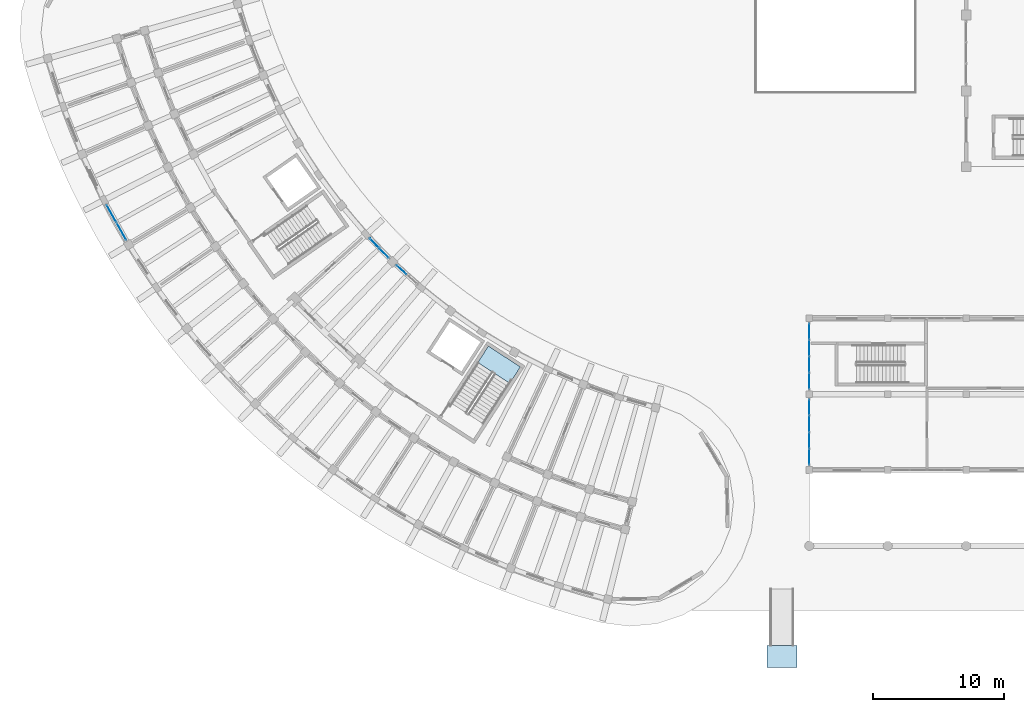
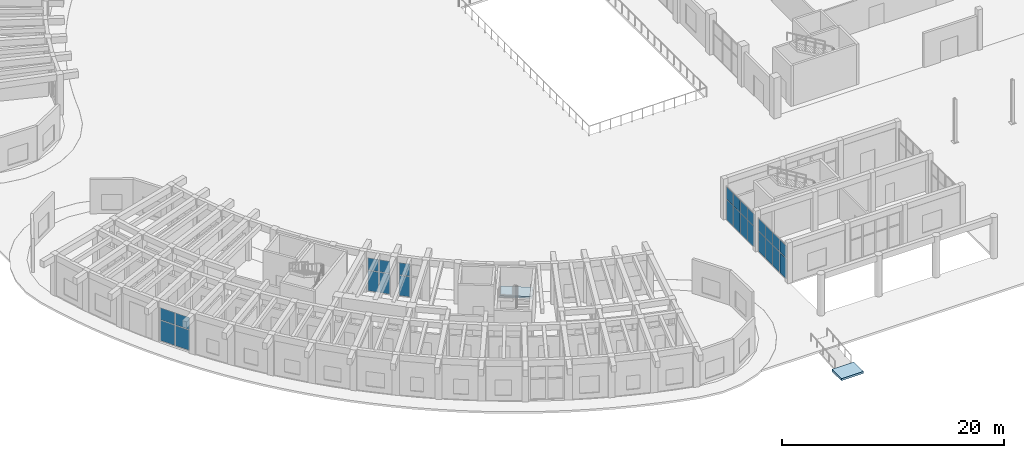
# One storey, part 71 of 132: 26 plates, 2 slabs, 6 elements without a shape of their own.
"""IFC4 building model written with IfcOpenShell, lengths in metres."""

from ifc_helpers import new_model, si_unit, direction, frame, origin, origin_2d, place, context, subcontext, project, spatial, polyline, rectangle, outline, extrude, material, layer, layer_set, type_object, element, aggregate, save


model = new_model("IFC4")

# Units and contexts
model_context = context("Model", 3, precision=1e-05, world=origin(), true_north=direction((0.0, 1.0)))
body_context = subcontext(model_context, "Body", "Model", "MODEL_VIEW")
ifc_project = project(units=[si_unit("LENGTHUNIT", "METRE"), si_unit("AREAUNIT", "SQUARE_METRE"), si_unit("VOLUMEUNIT", "CUBIC_METRE"), si_unit("PLANEANGLEUNIT", "RADIAN"), si_unit("MASSUNIT", "GRAM", prefix="KILO")], contexts=[model_context])

# Site, building, storey
site_placement = place(None, origin())
site = spatial("IfcSite", under=ifc_project, at=site_placement, CompositionType="ELEMENT")
building_placement = place(site_placement, origin())
building = spatial("IfcBuilding", under=site, at=building_placement, Name="Tanwirah Colonnade Gardens", CompositionType="ELEMENT")
storey_placement = place(building_placement, origin())
storey = spatial("IfcBuildingStorey", under=building, at=storey_placement, Name="L00", CompositionType="ELEMENT", Elevation=0.0)

# Curtain wall, plates
ifc_material_1 = material(Name="Bronze-anodised aluminium and solar-control low-E glass", Category="aluminium")
curtain_wall_type_1 = type_object("IfcCurtainWallType", Name="CW-SHP", PredefinedType="NOTDEFINED", material=ifc_material_1)
curtain_wall_1_placement = place(storey_placement, origin())
curtain_wall_1 = element("IfcCurtainWall", 1, at=curtain_wall_1_placement, inside=storey, type_object=curtain_wall_type_1, Name="Curtain Wall CW-SHP-W-L00-W-1", PredefinedType="NOTDEFINED")
ifc_material_2 = material(Name="Solar-control low-E double glazing", Category="glass")
ifc_layer_1 = layer(ifc_material_2, 0.028076171875)
ifc_layer_set_1 = layer_set([ifc_layer_1], Name="Solar-control low-E double glazing")
plate_type_1 = type_object("IfcPlateType", Name="CWP-GLZ28", PredefinedType="CURTAIN_PANEL", material=ifc_layer_set_1)
plate_1_placement = place(storey_placement, frame((66.0, 17.6025390625, 0.06005859375), z_axis=(0.0, 0.0, 1.0), x_axis=(0.0, 1.0, 0.0)))
plate_1 = element("IfcPlate", 2, at=plate_1_placement, type_object=plate_type_1, Name="CW-SHP panel 1.1", PredefinedType="CURTAIN_PANEL", context=body_context, shape_type="SweptSolid", body=[
    extrude(rectangle(XDim=1.18505859375, YDim=0.028076171875, at=origin_2d()), origin(), (0.0, 0.0, 1.0), 2.235107421875),
])
plate_2_placement = place(storey_placement, frame((66.0, 17.6025390625, 2.35498046875), z_axis=(0.0, 0.0, 1.0), x_axis=(0.0, 1.0, 0.0)))
plate_2 = element("IfcPlate", 3, at=plate_2_placement, type_object=plate_type_1, Name="CW-SHP panel 1.2", PredefinedType="CURTAIN_PANEL", context=body_context, shape_type="SweptSolid", body=[
    extrude(rectangle(XDim=1.18505859375, YDim=0.028076171875, at=origin_2d()), origin(), (0.0, 0.0, 1.0), 1.3349609375),
])
plate_3_placement = place(storey_placement, frame((66.0, 18.862548828125, 0.06005859375), z_axis=(0.0, 0.0, 1.0), x_axis=(0.0, 1.0, 0.0)))
plate_3 = element("IfcPlate", 4, at=plate_3_placement, type_object=plate_type_1, Name="CW-SHP panel 2.1", PredefinedType="CURTAIN_PANEL", context=body_context, shape_type="SweptSolid", body=[
    extrude(rectangle(XDim=1.215087890625, YDim=0.028076171875, at=origin_2d()), origin(), (0.0, 0.0, 1.0), 2.235107421875),
])
plate_4_placement = place(storey_placement, frame((66.0, 18.862548828125, 2.35498046875), z_axis=(0.0, 0.0, 1.0), x_axis=(0.0, 1.0, 0.0)))
plate_4 = element("IfcPlate", 5, at=plate_4_placement, type_object=plate_type_1, Name="CW-SHP panel 2.2", PredefinedType="CURTAIN_PANEL", context=body_context, shape_type="SweptSolid", body=[
    extrude(rectangle(XDim=1.215087890625, YDim=0.028076171875, at=origin_2d()), origin(), (0.0, 0.0, 1.0), 1.3349609375),
])
plate_5_placement = place(storey_placement, frame((66.0, 20.137451171875, 0.06005859375), z_axis=(0.0, 0.0, 1.0), x_axis=(0.0, 1.0, 0.0)))
plate_5 = element("IfcPlate", 6, at=plate_5_placement, type_object=plate_type_1, Name="CW-SHP panel 3.1", PredefinedType="CURTAIN_PANEL", context=body_context, shape_type="SweptSolid", body=[
    extrude(rectangle(XDim=1.215087890625, YDim=0.028076171875, at=origin_2d()), origin(), (0.0, 0.0, 1.0), 2.235107421875),
])
plate_6_placement = place(storey_placement, frame((66.0, 20.137451171875, 2.35498046875), z_axis=(0.0, 0.0, 1.0), x_axis=(0.0, 1.0, 0.0)))
plate_6 = element("IfcPlate", 7, at=plate_6_placement, type_object=plate_type_1, Name="CW-SHP panel 3.2", PredefinedType="CURTAIN_PANEL", context=body_context, shape_type="SweptSolid", body=[
    extrude(rectangle(XDim=1.215087890625, YDim=0.028076171875, at=origin_2d()), origin(), (0.0, 0.0, 1.0), 1.3349609375),
])
plate_7_placement = place(storey_placement, frame((66.0, 21.3974609375, 0.06005859375), z_axis=(0.0, 0.0, 1.0), x_axis=(0.0, 1.0, 0.0)))
plate_7 = element("IfcPlate", 8, at=plate_7_placement, type_object=plate_type_1, Name="CW-SHP panel 4.1", PredefinedType="CURTAIN_PANEL", context=body_context, shape_type="SweptSolid", body=[
    extrude(rectangle(XDim=1.18505859375, YDim=0.028076171875, at=origin_2d()), origin(), (0.0, 0.0, 1.0), 2.235107421875),
])
plate_8_placement = place(storey_placement, frame((66.0, 21.3974609375, 2.35498046875), z_axis=(0.0, 0.0, 1.0), x_axis=(0.0, 1.0, 0.0)))
plate_8 = element("IfcPlate", 9, at=plate_8_placement, type_object=plate_type_1, Name="CW-SHP panel 4.2", PredefinedType="CURTAIN_PANEL", context=body_context, shape_type="SweptSolid", body=[
    extrude(rectangle(XDim=1.18505859375, YDim=0.028076171875, at=origin_2d()), origin(), (0.0, 0.0, 1.0), 1.3349609375),
])
aggregate(curtain_wall_1, [plate_1, plate_2, plate_3, plate_4, plate_5, plate_6, plate_7, plate_8])

curtain_wall_2_placement = place(storey_placement, origin())
curtain_wall_2 = element("IfcCurtainWall", 10, at=curtain_wall_2_placement, inside=storey, type_object=curtain_wall_type_1, Name="Curtain Wall CW-SHP-W-L00-W-2", PredefinedType="NOTDEFINED")
plate_9_placement = place(storey_placement, frame((66.0, 23.402587890625, 0.06005859375), z_axis=(0.0, 0.0, 1.0), x_axis=(0.0, 1.0, 0.0)))
plate_9 = element("IfcPlate", 11, at=plate_9_placement, type_object=plate_type_1, Name="CW-SHP panel 1.1", PredefinedType="CURTAIN_PANEL", context=body_context, shape_type="SweptSolid", body=[
    extrude(rectangle(XDim=1.18505859375, YDim=0.028076171875, at=origin_2d()), origin(), (0.0, 0.0, 1.0), 2.235107421875),
])
plate_10_placement = place(storey_placement, frame((66.0, 23.402587890625, 2.35498046875), z_axis=(0.0, 0.0, 1.0), x_axis=(0.0, 1.0, 0.0)))
plate_10 = element("IfcPlate", 12, at=plate_10_placement, type_object=plate_type_1, Name="CW-SHP panel 1.2", PredefinedType="CURTAIN_PANEL", context=body_context, shape_type="SweptSolid", body=[
    extrude(rectangle(XDim=1.18505859375, YDim=0.028076171875, at=origin_2d()), origin(), (0.0, 0.0, 1.0), 1.3349609375),
])
plate_11_placement = place(storey_placement, frame((66.0, 24.66259765625, 0.06005859375), z_axis=(0.0, 0.0, 1.0), x_axis=(0.0, 1.0, 0.0)))
plate_11 = element("IfcPlate", 13, at=plate_11_placement, type_object=plate_type_1, Name="CW-SHP panel 2.1", PredefinedType="CURTAIN_PANEL", context=body_context, shape_type="SweptSolid", body=[
    extrude(rectangle(XDim=1.215087890625, YDim=0.028076171875, at=origin_2d()), origin(), (0.0, 0.0, 1.0), 2.235107421875),
])
plate_12_placement = place(storey_placement, frame((66.0, 24.66259765625, 2.35498046875), z_axis=(0.0, 0.0, 1.0), x_axis=(0.0, 1.0, 0.0)))
plate_12 = element("IfcPlate", 14, at=plate_12_placement, type_object=plate_type_1, Name="CW-SHP panel 2.2", PredefinedType="CURTAIN_PANEL", context=body_context, shape_type="SweptSolid", body=[
    extrude(rectangle(XDim=1.215087890625, YDim=0.028076171875, at=origin_2d()), origin(), (0.0, 0.0, 1.0), 1.3349609375),
])
plate_13_placement = place(storey_placement, frame((66.0, 25.9375, 0.06005859375), z_axis=(0.0, 0.0, 1.0), x_axis=(0.0, 1.0, 0.0)))
plate_13 = element("IfcPlate", 15, at=plate_13_placement, type_object=plate_type_1, Name="CW-SHP panel 3.1", PredefinedType="CURTAIN_PANEL", context=body_context, shape_type="SweptSolid", body=[
    extrude(rectangle(XDim=1.215087890625, YDim=0.028076171875, at=origin_2d()), origin(), (0.0, 0.0, 1.0), 2.235107421875),
])
plate_14_placement = place(storey_placement, frame((66.0, 25.9375, 2.35498046875), z_axis=(0.0, 0.0, 1.0), x_axis=(0.0, 1.0, 0.0)))
plate_14 = element("IfcPlate", 16, at=plate_14_placement, type_object=plate_type_1, Name="CW-SHP panel 3.2", PredefinedType="CURTAIN_PANEL", context=body_context, shape_type="SweptSolid", body=[
    extrude(rectangle(XDim=1.215087890625, YDim=0.028076171875, at=origin_2d()), origin(), (0.0, 0.0, 1.0), 1.3349609375),
])
plate_15_placement = place(storey_placement, frame((66.0, 27.197509765625, 0.06005859375), z_axis=(0.0, 0.0, 1.0), x_axis=(0.0, 1.0, 0.0)))
plate_15 = element("IfcPlate", 17, at=plate_15_placement, type_object=plate_type_1, Name="CW-SHP panel 4.1", PredefinedType="CURTAIN_PANEL", context=body_context, shape_type="SweptSolid", body=[
    extrude(rectangle(XDim=1.18505859375, YDim=0.028076171875, at=origin_2d()), origin(), (0.0, 0.0, 1.0), 2.235107421875),
])
plate_16_placement = place(storey_placement, frame((66.0, 27.197509765625, 2.35498046875), z_axis=(0.0, 0.0, 1.0), x_axis=(0.0, 1.0, 0.0)))
plate_16 = element("IfcPlate", 18, at=plate_16_placement, type_object=plate_type_1, Name="CW-SHP panel 4.2", PredefinedType="CURTAIN_PANEL", context=body_context, shape_type="SweptSolid", body=[
    extrude(rectangle(XDim=1.18505859375, YDim=0.028076171875, at=origin_2d()), origin(), (0.0, 0.0, 1.0), 1.3349609375),
])
aggregate(curtain_wall_2, [plate_9, plate_10, plate_11, plate_12, plate_13, plate_14, plate_15, plate_16])

curtain_wall_type_2 = type_object("IfcCurtainWallType", Name="CW-LOB", PredefinedType="NOTDEFINED", material=ifc_material_1)
curtain_wall_3_placement = place(storey_placement, origin())
curtain_wall_3 = element("IfcCurtainWall", 19, at=curtain_wall_3_placement, inside=storey, type_object=curtain_wall_type_2, Name="Curtain Wall CW-C-L00-OUT-03", PredefinedType="NOTDEFINED")
ifc_material_3 = material(Name="Acoustic solar-control low-E double glazing", Category="glass")
ifc_layer_2 = layer(ifc_material_3, 0.031982421875)
ifc_layer_set_2 = layer_set([ifc_layer_2], Name="Acoustic solar-control low-E double glazing")
plate_type_2 = type_object("IfcPlateType", Name="CWP-GLZ32", PredefinedType="CURTAIN_PANEL", material=ifc_layer_set_2)
plate_17_placement = place(storey_placement, frame((12.62939453125, 36.2099609375, 0.070068359375), z_axis=(0.0, 0.0, 1.0), x_axis=(0.486715095364, -0.873560768318, 0.0)))
plate_17 = element("IfcPlate", 20, at=plate_17_placement, type_object=plate_type_2, Name="CW-LOB panel 1.1", PredefinedType="CURTAIN_PANEL", context=body_context, shape_type="SweptSolid", body=[
    extrude(rectangle(XDim=1.4833984375, YDim=0.031982421875, at=origin_2d()), origin(), (0.0, 0.0, 1.0), 2.22314453125),
])
plate_18_placement = place(storey_placement, frame((12.62939453125, 36.2099609375, 2.36328125), z_axis=(0.0, 0.0, 1.0), x_axis=(0.486715095364, -0.873560768318, 0.0)))
plate_18 = element("IfcPlate", 21, at=plate_18_placement, type_object=plate_type_2, Name="CW-LOB panel 1.2", PredefinedType="CURTAIN_PANEL", context=body_context, shape_type="SweptSolid", body=[
    extrude(rectangle(XDim=1.4833984375, YDim=0.031982421875, at=origin_2d()), origin(), (0.0, 0.0, 1.0), 1.322021484375),
])
plate_19_placement = place(storey_placement, frame((13.385498046875, 34.85302734375, 0.070068359375), z_axis=(0.0, 0.0, 1.0), x_axis=(0.486715095364, -0.873560768318, 0.0)))
plate_19 = element("IfcPlate", 22, at=plate_19_placement, type_object=plate_type_2, Name="CW-LOB panel 2.1", PredefinedType="CURTAIN_PANEL", context=body_context, shape_type="SweptSolid", body=[
    extrude(rectangle(XDim=1.4833984375, YDim=0.031982421875, at=origin_2d()), origin(), (0.0, 0.0, 1.0), 2.22314453125),
])
plate_20_placement = place(storey_placement, frame((13.385498046875, 34.85302734375, 2.36328125), z_axis=(0.0, 0.0, 1.0), x_axis=(0.486715095364, -0.873560768318, 0.0)))
plate_20 = element("IfcPlate", 23, at=plate_20_placement, type_object=plate_type_2, Name="CW-LOB panel 2.2", PredefinedType="CURTAIN_PANEL", context=body_context, shape_type="SweptSolid", body=[
    extrude(rectangle(XDim=1.4833984375, YDim=0.031982421875, at=origin_2d()), origin(), (0.0, 0.0, 1.0), 1.322021484375),
])
aggregate(curtain_wall_3, [plate_17, plate_18, plate_19, plate_20])

curtain_wall_type_3 = type_object("IfcCurtainWallType", Name="CW-GDN", PredefinedType="NOTDEFINED", material=ifc_material_1)
curtain_wall_4_placement = place(storey_placement, origin())
curtain_wall_4 = element("IfcCurtainWall", 24, at=curtain_wall_4_placement, inside=storey, type_object=curtain_wall_type_3, Name="Curtain Wall CW-C-L00-IN-07", PredefinedType="NOTDEFINED")
plate_21_placement = place(storey_placement, frame((32.7412109375, 33.949462890625, 0.070068359375), z_axis=(0.0, 0.0, 1.0), x_axis=(0.696223466127, -0.717825107678, 0.0)))
plate_21 = element("IfcPlate", 25, at=plate_21_placement, type_object=plate_type_2, Name="CW-GDN panel 1.1", PredefinedType="CURTAIN_PANEL", context=body_context, shape_type="SweptSolid", body=[
    extrude(rectangle(XDim=0.9892578125, YDim=0.031982421875, at=origin_2d()), origin(), (0.0, 0.0, 1.0), 2.22314453125),
])
plate_22_placement = place(storey_placement, frame((32.7412109375, 33.949462890625, 2.36328125), z_axis=(0.0, 0.0, 1.0), x_axis=(0.696223466127, -0.717825107678, 0.0)))
plate_22 = element("IfcPlate", 26, at=plate_22_placement, type_object=plate_type_2, Name="CW-GDN panel 1.2", PredefinedType="CURTAIN_PANEL", context=body_context, shape_type="SweptSolid", body=[
    extrude(rectangle(XDim=0.9892578125, YDim=0.031982421875, at=origin_2d()), origin(), (0.0, 0.0, 1.0), 1.322021484375),
])
plate_23_placement = place(storey_placement, frame((33.478759765625, 33.189208984375, 0.070068359375), z_axis=(0.0, 0.0, 1.0), x_axis=(0.696223466127, -0.717825107678, 0.0)))
plate_23 = element("IfcPlate", 27, at=plate_23_placement, type_object=plate_type_2, Name="CW-GDN panel 2.1", PredefinedType="CURTAIN_PANEL", context=body_context, shape_type="SweptSolid", body=[
    extrude(rectangle(XDim=0.9892578125, YDim=0.031982421875, at=origin_2d()), origin(), (0.0, 0.0, 1.0), 2.22314453125),
])
plate_24_placement = place(storey_placement, frame((33.478759765625, 33.189208984375, 2.36328125), z_axis=(0.0, 0.0, 1.0), x_axis=(0.696223466127, -0.717825107678, 0.0)))
plate_24 = element("IfcPlate", 28, at=plate_24_placement, type_object=plate_type_2, Name="CW-GDN panel 2.2", PredefinedType="CURTAIN_PANEL", context=body_context, shape_type="SweptSolid", body=[
    extrude(rectangle(XDim=0.9892578125, YDim=0.031982421875, at=origin_2d()), origin(), (0.0, 0.0, 1.0), 1.322021484375),
])
aggregate(curtain_wall_4, [plate_21, plate_22, plate_23, plate_24])

curtain_wall_5_placement = place(storey_placement, origin())
curtain_wall_5 = element("IfcCurtainWall", 29, at=curtain_wall_5_placement, inside=storey, type_object=curtain_wall_type_3, Name="Curtain Wall CW-C-L00-IN-08", PredefinedType="NOTDEFINED")
plate_25_placement = place(storey_placement, frame((34.808349609375, 31.905029296875, 0.070068359375), z_axis=(0.0, 0.0, 1.0), x_axis=(0.741682643058, -0.670750964954, 0.0)))
plate_25 = element("IfcPlate", 30, at=plate_25_placement, type_object=plate_type_2, Name="CW-GDN panel 1.1", PredefinedType="CURTAIN_PANEL", context=body_context, shape_type="SweptSolid", body=[
    extrude(rectangle(XDim=0.9892578125, YDim=0.031982421875, at=origin_2d()), origin(), (0.0, 0.0, 1.0), 2.22314453125),
])
plate_26_placement = place(storey_placement, frame((34.808349609375, 31.905029296875, 2.36328125), z_axis=(0.0, 0.0, 1.0), x_axis=(0.741682643058, -0.670750964954, 0.0)))
plate_26 = element("IfcPlate", 31, at=plate_26_placement, type_object=plate_type_2, Name="CW-GDN panel 1.2", PredefinedType="CURTAIN_PANEL", context=body_context, shape_type="SweptSolid", body=[
    extrude(rectangle(XDim=0.9892578125, YDim=0.031982421875, at=origin_2d()), origin(), (0.0, 0.0, 1.0), 1.322021484375),
])
aggregate(curtain_wall_5, [plate_25, plate_26])

# Stair, slab
ifc_material_4 = material(Name="Precast concrete C40/50", Category="concrete")
stair_type = type_object("IfcStairType", Name="ST-RES170", PredefinedType="HALF_TURN_STAIR", material=ifc_material_4)
stair_placement = place(storey_placement, origin())
stair = element("IfcStair", 32, at=stair_placement, inside=storey, type_object=stair_type, Name="L00 Block C Core 2 Exit Stair", PredefinedType="HALF_TURN_STAIR")
ifc_layer_3 = layer(ifc_material_4, 0.205078125)
ifc_layer_set_3 = layer_set([ifc_layer_3], Name="Precast concrete C40/50")
slab_type_1 = type_object("IfcSlabType", Name="SL-LND-205", PredefinedType="LANDING", material=ifc_layer_set_3)
slab_1_placement = place(storey_placement, frame((0.0, 0.0, 2.175048828125)))
slab_1 = element("IfcSlab", 33, at=slab_1_placement, type_object=slab_type_1, Name="ST-C2 landing 1", PredefinedType="LANDING", context=body_context, shape_type="SweptSolid", body=[
    extrude(outline(polyline([(43.08837890625, 23.23095703125), (43.902587890625, 24.48486328125), (41.45361328125, 26.0751953125), (40.639404296875, 24.8212890625), (43.08837890625, 23.23095703125)])), origin(), (0.0, 0.0, 1.0), 0.204833984375),
])
aggregate(stair, [slab_1])

# Slab
ifc_material_5 = material(Name="Concrete C45/55", Category="concrete")
ifc_layer_4 = layer(ifc_material_5, 0.22998046875)
ifc_layer_set_4 = layer_set([ifc_layer_4], Name="Concrete C45/55")
slab_type_2 = type_object("IfcSlabType", Name="SL-PAV-230", PredefinedType="USERDEFINED", material=ifc_layer_set_4)
slab_2_placement = place(storey_placement, frame((0.0, 0.0, -0.590087890625)))
element("IfcSlab", 34, at=slab_2_placement, inside=storey, type_object=slab_type_2, Name="Accessible Ramp PED-W Street Foot Apron", ObjectType="PAVING", PredefinedType="USERDEFINED", context=body_context, shape_type="SweptSolid", body=[
    extrude(outline(polyline([(62.75, 1.47998046875), (65.050048828125, 1.47998046875), (65.050048828125, 3.18994140625), (62.75, 3.18994140625), (62.75, 1.47998046875)])), origin(), (0.0, 0.0, 1.0), 0.22998046875),
])

save(model, "model.ifc")
